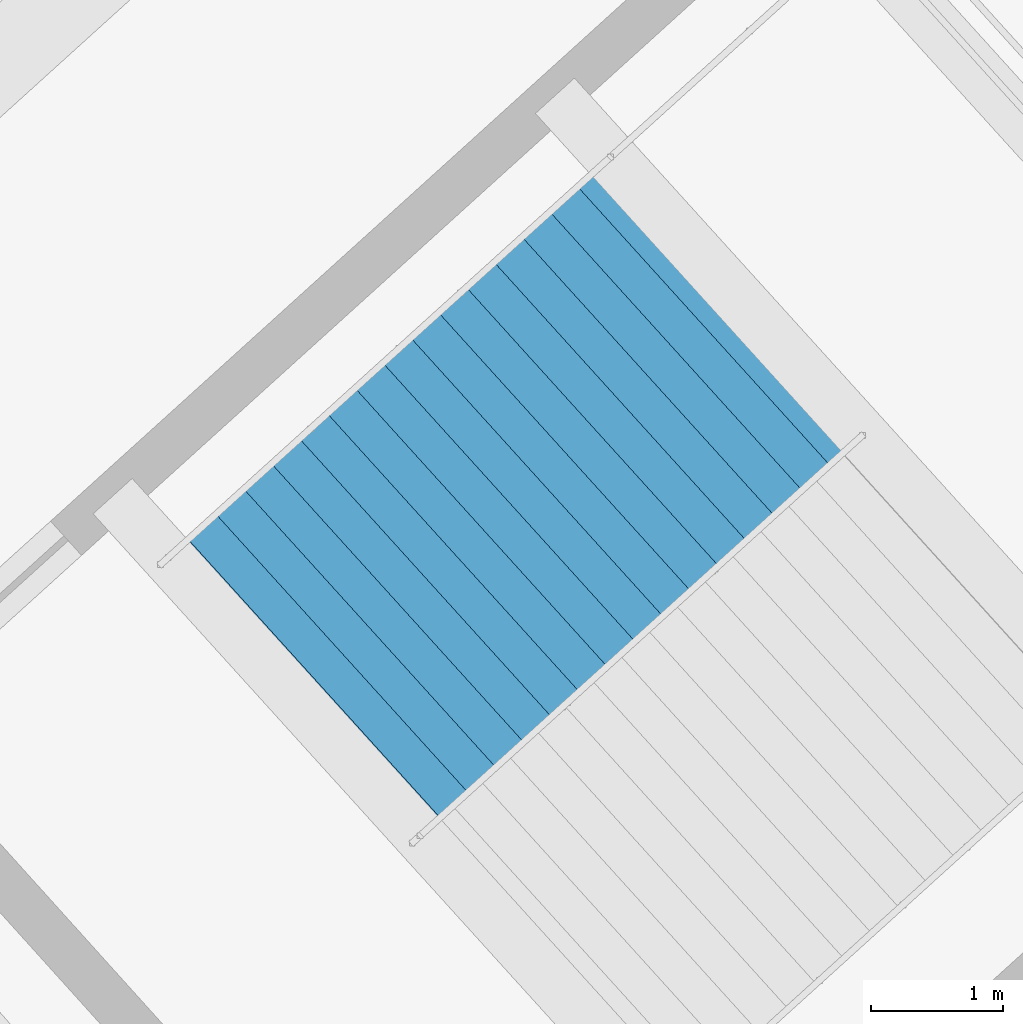
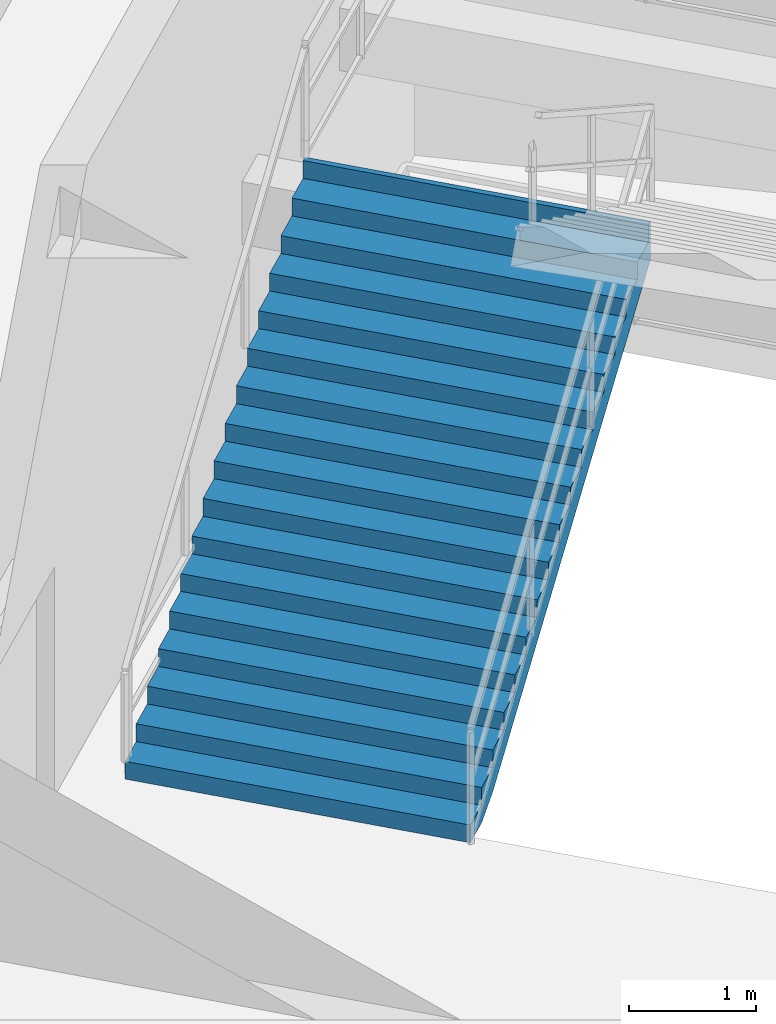
# One storey, part 28 of 48: 1 stair flight, 1 element without a shape of its own.
"""IFC4 building model written with IfcOpenShell, lengths in metres."""

from ifc_helpers import new_model, si_unit, direction, frame, origin, place, context, subcontext, project, spatial, polygons, material, type_object, element, aggregate, save


model = new_model("IFC4")

# Units and contexts
model_context = context("Model", 3, precision=1e-05, world=origin(), true_north=direction((0.0, 1.0)))
body_context = subcontext(model_context, "Body", "Model", "MODEL_VIEW")
ifc_project = project(units=[si_unit("LENGTHUNIT", "METRE"), si_unit("AREAUNIT", "SQUARE_METRE"), si_unit("VOLUMEUNIT", "CUBIC_METRE"), si_unit("PLANEANGLEUNIT", "RADIAN"), si_unit("MASSUNIT", "GRAM", prefix="KILO")], contexts=[model_context])

# Site, building, storey
site_placement = place(None, origin())
site = spatial("IfcSite", under=ifc_project, at=site_placement, CompositionType="ELEMENT")
building_placement = place(site_placement, origin())
building = spatial("IfcBuilding", under=site, at=building_placement, Name="Kazemori Nagisa Stadium", CompositionType="ELEMENT")
storey_placement = place(building_placement, origin())
storey = spatial("IfcBuildingStorey", under=building, at=storey_placement, Name="L00", CompositionType="ELEMENT", Elevation=0.0)

# Stair, stair flight
ifc_material = material(Name="Concrete C36/45 (Fc36)", Category="concrete")
stair_type = type_object("IfcStairType", Name="Stair_CORE_34", PredefinedType="TWO_STRAIGHT_RUN_STAIR", material=ifc_material)
stair_placement = place(storey_placement, origin())
stair = element("IfcStair", 1, at=stair_placement, inside=storey, type_object=stair_type, Name="Exit stair ST04 L00", PredefinedType="TWO_STRAIGHT_RUN_STAIR")
stair_flight_type = type_object("IfcStairFlightType", Name="Flight_CORE_17", PredefinedType="STRAIGHT", material=ifc_material)
stair_flight_placement = place(storey_placement, frame((182.77587890625, 39.410400390625, 0.0), z_axis=(0.0, 0.0, 1.0), x_axis=(0.741355642131, 0.671112369041, 0.0)))
stair_flight = element("IfcStairFlight", 2, at=stair_flight_placement, type_object=stair_flight_type, Name="Exit stair ST04 L00 flight 1", NumberOfRisers=17, NumberOfTreads=16, PredefinedType="STRAIGHT", RiserHeight=0.17, TreadLength=0.285, context=body_context, shape_type="Tessellation", body=[
    polygons([(0.0, -1.425048828125, 0.0), (0.0, -1.425048828125, 0.169921875), (0.284912109375, -1.425048828125, 0.169921875), (0.284912109375, -1.425048828125, 0.340087890625), (0.570068359375, -1.425048828125, 0.340087890625), (0.570068359375, -1.425048828125, 0.510009765625), (0.85498046875, -1.425048828125, 0.510009765625), (0.85498046875, -1.425048828125, 0.679931640625), (1.139892578125, -1.425048828125, 0.679931640625), (1.139892578125, -1.425048828125, 0.85009765625), (1.425048828125, -1.425048828125, 0.85009765625), (1.425048828125, -1.425048828125, 1.02001953125), (1.7099609375, -1.425048828125, 1.02001953125), (1.7099609375, -1.425048828125, 1.18994140625), (1.9951171875, -1.425048828125, 1.18994140625), (1.9951171875, -1.425048828125, 1.360107421875), (2.280029296875, -1.425048828125, 1.360107421875), (2.280029296875, -1.425048828125, 1.530029296875), (2.56494140625, -1.425048828125, 1.530029296875), (2.56494140625, -1.425048828125, 1.699951171875), (2.85009765625, -1.425048828125, 1.699951171875), (2.85009765625, -1.425048828125, 1.8701171875), (3.135009765625, -1.425048828125, 1.8701171875), (3.135009765625, -1.425048828125, 2.0400390625), (3.419921875, -1.425048828125, 2.0400390625), (3.419921875, -1.425048828125, 2.2099609375), (3.705078125, -1.425048828125, 2.2099609375), (3.705078125, -1.425048828125, 2.3798828125), (3.989990234375, -1.425048828125, 2.3798828125), (3.989990234375, -1.425048828125, 2.550048828125), (4.27490234375, -1.425048828125, 2.550048828125), (4.27490234375, -1.425048828125, 2.719970703125), (4.56005859375, -1.425048828125, 2.719970703125), (4.56005859375, -1.425048828125, 2.889892578125), (4.610107421875, -1.425048828125, 2.889892578125), (4.610107421875, -1.425048828125, 2.51708984375), (4.56005859375, -1.425048828125, 2.487060546875), (4.27490234375, -1.425048828125, 2.317138671875), (3.989990234375, -1.425048828125, 2.147216796875), (3.705078125, -1.425048828125, 1.977294921875), (3.419921875, -1.425048828125, 1.80712890625), (3.135009765625, -1.425048828125, 1.63720703125), (2.85009765625, -1.425048828125, 1.46728515625), (2.56494140625, -1.425048828125, 1.297119140625), (2.280029296875, -1.425048828125, 1.127197265625), (1.9951171875, -1.425048828125, 0.957275390625), (1.7099609375, -1.425048828125, 0.787109375), (1.425048828125, -1.425048828125, 0.6171875), (1.139892578125, -1.425048828125, 0.447265625), (0.85498046875, -1.425048828125, 0.277099609375), (0.570068359375, -1.425048828125, 0.107177734375), (0.284912109375, -1.425048828125, 0.0), (0.0, -0.08544921875, 0.0), (0.0, -0.08544921875, 0.169921875), (0.284912109375, -0.08544921875, 0.169921875), (0.284912109375, -0.08544921875, 0.340087890625), (0.570068359375, -0.08544921875, 0.340087890625), (0.570068359375, -0.08544921875, 0.510009765625), (0.85498046875, -0.08544921875, 0.510009765625), (0.85498046875, -0.08544921875, 0.679931640625), (1.139892578125, -0.08544921875, 0.679931640625), (1.139892578125, -0.08544921875, 0.85009765625), (1.425048828125, -0.08544921875, 0.85009765625), (1.425048828125, -0.08544921875, 1.02001953125), (1.7099609375, -0.08544921875, 1.02001953125), (1.7099609375, -0.08544921875, 1.18994140625), (1.9951171875, -0.08544921875, 1.18994140625), (1.9951171875, -0.08544921875, 1.360107421875), (2.280029296875, -0.08544921875, 1.360107421875), (2.280029296875, -0.08544921875, 1.530029296875), (2.56494140625, -0.08544921875, 1.530029296875), (2.56494140625, -0.08544921875, 1.699951171875), (2.85009765625, -0.08544921875, 1.699951171875), (2.85009765625, -0.08544921875, 1.8701171875), (3.135009765625, -0.08544921875, 1.8701171875), (3.135009765625, -0.08544921875, 2.0400390625), (3.419921875, -0.08544921875, 2.0400390625), (3.419921875, -0.08544921875, 2.2099609375), (3.705078125, -0.08544921875, 2.2099609375), (3.705078125, -0.08544921875, 2.3798828125), (3.989990234375, -0.08544921875, 2.3798828125), (3.989990234375, -0.08544921875, 2.550048828125), (4.27490234375, -0.08544921875, 2.550048828125), (4.27490234375, -0.08544921875, 2.719970703125), (4.56005859375, -0.08544921875, 2.719970703125), (4.56005859375, -0.08544921875, 2.889892578125), (4.610107421875, -0.08544921875, 2.889892578125), (4.610107421875, -0.08544921875, 2.51708984375), (4.56005859375, -0.08544921875, 2.487060546875), (4.27490234375, -0.08544921875, 2.317138671875), (3.989990234375, -0.08544921875, 2.147216796875), (3.705078125, -0.08544921875, 1.977294921875), (3.419921875, -0.08544921875, 1.80712890625), (3.135009765625, -0.08544921875, 1.63720703125), (2.85009765625, -0.08544921875, 1.46728515625), (2.56494140625, -0.08544921875, 1.297119140625), (2.280029296875, -0.08544921875, 1.127197265625), (1.9951171875, -0.08544921875, 0.957275390625), (1.7099609375, -0.08544921875, 0.787109375), (1.425048828125, -0.08544921875, 0.6171875), (1.139892578125, -0.08544921875, 0.447265625), (0.85498046875, -0.08544921875, 0.277099609375), (0.570068359375, -0.08544921875, 0.107177734375), (0.284912109375, -0.08544921875, 0.0), (0.0, 0.0, 0.0), (0.0, 0.0, 0.169921875), (0.284912109375, 0.0, 0.169921875), (0.284912109375, 0.0, 0.340087890625), (0.570068359375, 0.0, 0.340087890625), (0.570068359375, 0.0, 0.510009765625), (0.85498046875, 0.0, 0.510009765625), (0.85498046875, 0.0, 0.679931640625), (1.139892578125, 0.0, 0.679931640625), (1.139892578125, 0.0, 0.85009765625), (1.425048828125, 0.0, 0.85009765625), (1.425048828125, 0.0, 1.02001953125), (1.7099609375, 0.0, 1.02001953125), (1.7099609375, 0.0, 1.18994140625), (1.9951171875, 0.0, 1.18994140625), (1.9951171875, 0.0, 1.360107421875), (2.280029296875, 0.0, 1.360107421875), (2.280029296875, 0.0, 1.530029296875), (2.56494140625, 0.0, 1.530029296875), (2.56494140625, 0.0, 1.699951171875), (2.85009765625, 0.0, 1.699951171875), (2.85009765625, 0.0, 1.8701171875), (3.135009765625, 0.0, 1.8701171875), (3.135009765625, 0.0, 2.0400390625), (3.419921875, 0.0, 2.0400390625), (3.419921875, 0.0, 2.2099609375), (3.705078125, 0.0, 2.2099609375), (3.705078125, 0.0, 2.3798828125), (3.989990234375, 0.0, 2.3798828125), (3.989990234375, 0.0, 2.550048828125), (4.27490234375, 0.0, 2.550048828125), (4.27490234375, 0.0, 2.719970703125), (4.56005859375, 0.0, 2.719970703125), (4.56005859375, 0.0, 2.889892578125), (4.610107421875, 0.0, 2.889892578125), (4.610107421875, 0.0, 2.51708984375), (4.56005859375, 0.0, 2.487060546875), (4.27490234375, 0.0, 2.317138671875), (3.989990234375, 0.0, 2.147216796875), (3.705078125, 0.0, 1.977294921875), (3.419921875, 0.0, 1.80712890625), (3.135009765625, 0.0, 1.63720703125), (2.85009765625, 0.0, 1.46728515625), (2.56494140625, 0.0, 1.297119140625), (2.280029296875, 0.0, 1.127197265625), (1.9951171875, 0.0, 0.957275390625), (1.7099609375, 0.0, 0.787109375), (1.425048828125, 0.0, 0.6171875), (1.139892578125, 0.0, 0.447265625), (0.85498046875, 0.0, 0.277099609375), (0.570068359375, 0.0, 0.107177734375), (0.284912109375, 0.0, 0.0), (0.0, 0.08544921875, 0.0), (0.0, 0.08544921875, 0.169921875), (0.284912109375, 0.08544921875, 0.169921875), (0.284912109375, 0.08544921875, 0.340087890625), (0.570068359375, 0.08544921875, 0.340087890625), (0.570068359375, 0.08544921875, 0.510009765625), (0.85498046875, 0.08544921875, 0.510009765625), (0.85498046875, 0.08544921875, 0.679931640625), (1.139892578125, 0.08544921875, 0.679931640625), (1.139892578125, 0.08544921875, 0.85009765625), (1.425048828125, 0.08544921875, 0.85009765625), (1.425048828125, 0.08544921875, 1.02001953125), (1.7099609375, 0.08544921875, 1.02001953125), (1.7099609375, 0.08544921875, 1.18994140625), (1.9951171875, 0.08544921875, 1.18994140625), (1.9951171875, 0.08544921875, 1.360107421875), (2.280029296875, 0.08544921875, 1.360107421875), (2.280029296875, 0.08544921875, 1.530029296875), (2.56494140625, 0.08544921875, 1.530029296875), (2.56494140625, 0.08544921875, 1.699951171875), (2.85009765625, 0.08544921875, 1.699951171875), (2.85009765625, 0.08544921875, 1.8701171875), (3.135009765625, 0.08544921875, 1.8701171875), (3.135009765625, 0.08544921875, 2.0400390625), (3.419921875, 0.08544921875, 2.0400390625), (3.419921875, 0.08544921875, 2.2099609375), (3.705078125, 0.08544921875, 2.2099609375), (3.705078125, 0.08544921875, 2.3798828125), (3.989990234375, 0.08544921875, 2.3798828125), (3.989990234375, 0.08544921875, 2.550048828125), (4.27490234375, 0.08544921875, 2.550048828125), (4.27490234375, 0.08544921875, 2.719970703125), (4.56005859375, 0.08544921875, 2.719970703125), (4.56005859375, 0.08544921875, 2.889892578125), (4.610107421875, 0.08544921875, 2.889892578125), (4.610107421875, 0.08544921875, 2.51708984375), (4.56005859375, 0.08544921875, 2.487060546875), (4.27490234375, 0.08544921875, 2.317138671875), (3.989990234375, 0.08544921875, 2.147216796875), (3.705078125, 0.08544921875, 1.977294921875), (3.419921875, 0.08544921875, 1.80712890625), (3.135009765625, 0.08544921875, 1.63720703125), (2.85009765625, 0.08544921875, 1.46728515625), (2.56494140625, 0.08544921875, 1.297119140625), (2.280029296875, 0.08544921875, 1.127197265625), (1.9951171875, 0.08544921875, 0.957275390625), (1.7099609375, 0.08544921875, 0.787109375), (1.425048828125, 0.08544921875, 0.6171875), (1.139892578125, 0.08544921875, 0.447265625), (0.85498046875, 0.08544921875, 0.277099609375), (0.570068359375, 0.08544921875, 0.107177734375), (0.284912109375, 0.08544921875, 0.0), (0.0, 1.425048828125, 0.0), (0.0, 1.425048828125, 0.169921875), (0.284912109375, 1.425048828125, 0.169921875), (0.284912109375, 1.425048828125, 0.340087890625), (0.570068359375, 1.425048828125, 0.340087890625), (0.570068359375, 1.425048828125, 0.510009765625), (0.85498046875, 1.425048828125, 0.510009765625), (0.85498046875, 1.425048828125, 0.679931640625), (1.139892578125, 1.425048828125, 0.679931640625), (1.139892578125, 1.425048828125, 0.85009765625), (1.425048828125, 1.425048828125, 0.85009765625), (1.425048828125, 1.425048828125, 1.02001953125), (1.7099609375, 1.425048828125, 1.02001953125), (1.7099609375, 1.425048828125, 1.18994140625), (1.9951171875, 1.425048828125, 1.18994140625), (1.9951171875, 1.425048828125, 1.360107421875), (2.280029296875, 1.425048828125, 1.360107421875), (2.280029296875, 1.425048828125, 1.530029296875), (2.56494140625, 1.425048828125, 1.530029296875), (2.56494140625, 1.425048828125, 1.699951171875), (2.85009765625, 1.425048828125, 1.699951171875), (2.85009765625, 1.425048828125, 1.8701171875), (3.135009765625, 1.425048828125, 1.8701171875), (3.135009765625, 1.425048828125, 2.0400390625), (3.419921875, 1.425048828125, 2.0400390625), (3.419921875, 1.425048828125, 2.2099609375), (3.705078125, 1.425048828125, 2.2099609375), (3.705078125, 1.425048828125, 2.3798828125), (3.989990234375, 1.425048828125, 2.3798828125), (3.989990234375, 1.425048828125, 2.550048828125), (4.27490234375, 1.425048828125, 2.550048828125), (4.27490234375, 1.425048828125, 2.719970703125), (4.56005859375, 1.425048828125, 2.719970703125), (4.56005859375, 1.425048828125, 2.889892578125), (4.610107421875, 1.425048828125, 2.889892578125), (4.610107421875, 1.425048828125, 2.51708984375), (4.56005859375, 1.425048828125, 2.487060546875), (4.27490234375, 1.425048828125, 2.317138671875), (3.989990234375, 1.425048828125, 2.147216796875), (3.705078125, 1.425048828125, 1.977294921875), (3.419921875, 1.425048828125, 1.80712890625), (3.135009765625, 1.425048828125, 1.63720703125), (2.85009765625, 1.425048828125, 1.46728515625), (2.56494140625, 1.425048828125, 1.297119140625), (2.280029296875, 1.425048828125, 1.127197265625), (1.9951171875, 1.425048828125, 0.957275390625), (1.7099609375, 1.425048828125, 0.787109375), (1.425048828125, 1.425048828125, 0.6171875), (1.139892578125, 1.425048828125, 0.447265625), (0.85498046875, 1.425048828125, 0.277099609375), (0.570068359375, 1.425048828125, 0.107177734375), (0.284912109375, 1.425048828125, 0.0)], [[[1, 2, 54]], [[1, 54, 53]], [[2, 3, 55]], [[2, 55, 54]], [[3, 4, 56]], [[3, 56, 55]], [[4, 5, 57]], [[4, 57, 56]], [[5, 6, 58]], [[5, 58, 57]], [[6, 7, 59]], [[6, 59, 58]], [[7, 8, 60]], [[7, 60, 59]], [[8, 9, 61]], [[8, 61, 60]], [[9, 10, 62]], [[9, 62, 61]], [[10, 11, 63]], [[10, 63, 62]], [[11, 12, 64]], [[11, 64, 63]], [[12, 13, 65]], [[12, 65, 64]], [[13, 14, 66]], [[13, 66, 65]], [[14, 15, 67]], [[14, 67, 66]], [[15, 16, 68]], [[15, 68, 67]], [[16, 17, 69]], [[16, 69, 68]], [[17, 18, 70]], [[17, 70, 69]], [[18, 19, 71]], [[18, 71, 70]], [[19, 20, 72]], [[19, 72, 71]], [[20, 21, 73]], [[20, 73, 72]], [[21, 22, 74]], [[21, 74, 73]], [[22, 23, 75]], [[22, 75, 74]], [[23, 24, 76]], [[23, 76, 75]], [[24, 25, 77]], [[24, 77, 76]], [[25, 26, 78]], [[25, 78, 77]], [[26, 27, 79]], [[26, 79, 78]], [[27, 28, 80]], [[27, 80, 79]], [[28, 29, 81]], [[28, 81, 80]], [[29, 30, 82]], [[29, 82, 81]], [[30, 31, 83]], [[30, 83, 82]], [[31, 32, 84]], [[31, 84, 83]], [[32, 33, 85]], [[32, 85, 84]], [[33, 34, 86]], [[33, 86, 85]], [[34, 35, 87]], [[34, 87, 86]], [[35, 36, 88]], [[35, 88, 87]], [[36, 37, 89]], [[36, 89, 88]], [[37, 38, 90]], [[37, 90, 89]], [[38, 39, 91]], [[38, 91, 90]], [[39, 40, 92]], [[39, 92, 91]], [[40, 41, 93]], [[40, 93, 92]], [[41, 42, 94]], [[41, 94, 93]], [[42, 43, 95]], [[42, 95, 94]], [[43, 44, 96]], [[43, 96, 95]], [[44, 45, 97]], [[44, 97, 96]], [[45, 46, 98]], [[45, 98, 97]], [[46, 47, 99]], [[46, 99, 98]], [[47, 48, 100]], [[47, 100, 99]], [[48, 49, 101]], [[48, 101, 100]], [[49, 50, 102]], [[49, 102, 101]], [[50, 51, 103]], [[50, 103, 102]], [[51, 52, 104]], [[51, 104, 103]], [[52, 1, 53]], [[52, 53, 104]], [[53, 54, 106]], [[53, 106, 105]], [[54, 55, 107]], [[54, 107, 106]], [[55, 56, 108]], [[55, 108, 107]], [[56, 57, 109]], [[56, 109, 108]], [[57, 58, 110]], [[57, 110, 109]], [[58, 59, 111]], [[58, 111, 110]], [[59, 60, 112]], [[59, 112, 111]], [[60, 61, 113]], [[60, 113, 112]], [[61, 62, 114]], [[61, 114, 113]], [[62, 63, 115]], [[62, 115, 114]], [[63, 64, 116]], [[63, 116, 115]], [[64, 65, 117]], [[64, 117, 116]], [[65, 66, 118]], [[65, 118, 117]], [[66, 67, 119]], [[66, 119, 118]], [[67, 68, 120]], [[67, 120, 119]], [[68, 69, 121]], [[68, 121, 120]], [[69, 70, 122]], [[69, 122, 121]], [[70, 71, 123]], [[70, 123, 122]], [[71, 72, 124]], [[71, 124, 123]], [[72, 73, 125]], [[72, 125, 124]], [[73, 74, 126]], [[73, 126, 125]], [[74, 75, 127]], [[74, 127, 126]], [[75, 76, 128]], [[75, 128, 127]], [[76, 77, 129]], [[76, 129, 128]], [[77, 78, 130]], [[77, 130, 129]], [[78, 79, 131]], [[78, 131, 130]], [[79, 80, 132]], [[79, 132, 131]], [[80, 81, 133]], [[80, 133, 132]], [[81, 82, 134]], [[81, 134, 133]], [[82, 83, 135]], [[82, 135, 134]], [[83, 84, 136]], [[83, 136, 135]], [[84, 85, 137]], [[84, 137, 136]], [[85, 86, 138]], [[85, 138, 137]], [[86, 87, 139]], [[86, 139, 138]], [[87, 88, 140]], [[87, 140, 139]], [[88, 89, 141]], [[88, 141, 140]], [[89, 90, 142]], [[89, 142, 141]], [[90, 91, 143]], [[90, 143, 142]], [[91, 92, 144]], [[91, 144, 143]], [[92, 93, 145]], [[92, 145, 144]], [[93, 94, 146]], [[93, 146, 145]], [[94, 95, 147]], [[94, 147, 146]], [[95, 96, 148]], [[95, 148, 147]], [[96, 97, 149]], [[96, 149, 148]], [[97, 98, 150]], [[97, 150, 149]], [[98, 99, 151]], [[98, 151, 150]], [[99, 100, 152]], [[99, 152, 151]], [[100, 101, 153]], [[100, 153, 152]], [[101, 102, 154]], [[101, 154, 153]], [[102, 103, 155]], [[102, 155, 154]], [[103, 104, 156]], [[103, 156, 155]], [[104, 53, 105]], [[104, 105, 156]], [[105, 106, 158]], [[105, 158, 157]], [[106, 107, 159]], [[106, 159, 158]], [[107, 108, 160]], [[107, 160, 159]], [[108, 109, 161]], [[108, 161, 160]], [[109, 110, 162]], [[109, 162, 161]], [[110, 111, 163]], [[110, 163, 162]], [[111, 112, 164]], [[111, 164, 163]], [[112, 113, 165]], [[112, 165, 164]], [[113, 114, 166]], [[113, 166, 165]], [[114, 115, 167]], [[114, 167, 166]], [[115, 116, 168]], [[115, 168, 167]], [[116, 117, 169]], [[116, 169, 168]], [[117, 118, 170]], [[117, 170, 169]], [[118, 119, 171]], [[118, 171, 170]], [[119, 120, 172]], [[119, 172, 171]], [[120, 121, 173]], [[120, 173, 172]], [[121, 122, 174]], [[121, 174, 173]], [[122, 123, 175]], [[122, 175, 174]], [[123, 124, 176]], [[123, 176, 175]], [[124, 125, 177]], [[124, 177, 176]], [[125, 126, 178]], [[125, 178, 177]], [[126, 127, 179]], [[126, 179, 178]], [[127, 128, 180]], [[127, 180, 179]], [[128, 129, 181]], [[128, 181, 180]], [[129, 130, 182]], [[129, 182, 181]], [[130, 131, 183]], [[130, 183, 182]], [[131, 132, 184]], [[131, 184, 183]], [[132, 133, 185]], [[132, 185, 184]], [[133, 134, 186]], [[133, 186, 185]], [[134, 135, 187]], [[134, 187, 186]], [[135, 136, 188]], [[135, 188, 187]], [[136, 137, 189]], [[136, 189, 188]], [[137, 138, 190]], [[137, 190, 189]], [[138, 139, 191]], [[138, 191, 190]], [[139, 140, 192]], [[139, 192, 191]], [[140, 141, 193]], [[140, 193, 192]], [[141, 142, 194]], [[141, 194, 193]], [[142, 143, 195]], [[142, 195, 194]], [[143, 144, 196]], [[143, 196, 195]], [[144, 145, 197]], [[144, 197, 196]], [[145, 146, 198]], [[145, 198, 197]], [[146, 147, 199]], [[146, 199, 198]], [[147, 148, 200]], [[147, 200, 199]], [[148, 149, 201]], [[148, 201, 200]], [[149, 150, 202]], [[149, 202, 201]], [[150, 151, 203]], [[150, 203, 202]], [[151, 152, 204]], [[151, 204, 203]], [[152, 153, 205]], [[152, 205, 204]], [[153, 154, 206]], [[153, 206, 205]], [[154, 155, 207]], [[154, 207, 206]], [[155, 156, 208]], [[155, 208, 207]], [[156, 105, 157]], [[156, 157, 208]], [[157, 158, 210]], [[157, 210, 209]], [[158, 159, 211]], [[158, 211, 210]], [[159, 160, 212]], [[159, 212, 211]], [[160, 161, 213]], [[160, 213, 212]], [[161, 162, 214]], [[161, 214, 213]], [[162, 163, 215]], [[162, 215, 214]], [[163, 164, 216]], [[163, 216, 215]], [[164, 165, 217]], [[164, 217, 216]], [[165, 166, 218]], [[165, 218, 217]], [[166, 167, 219]], [[166, 219, 218]], [[167, 168, 220]], [[167, 220, 219]], [[168, 169, 221]], [[168, 221, 220]], [[169, 170, 222]], [[169, 222, 221]], [[170, 171, 223]], [[170, 223, 222]], [[171, 172, 224]], [[171, 224, 223]], [[172, 173, 225]], [[172, 225, 224]], [[173, 174, 226]], [[173, 226, 225]], [[174, 175, 227]], [[174, 227, 226]], [[175, 176, 228]], [[175, 228, 227]], [[176, 177, 229]], [[176, 229, 228]], [[177, 178, 230]], [[177, 230, 229]], [[178, 179, 231]], [[178, 231, 230]], [[179, 180, 232]], [[179, 232, 231]], [[180, 181, 233]], [[180, 233, 232]], [[181, 182, 234]], [[181, 234, 233]], [[182, 183, 235]], [[182, 235, 234]], [[183, 184, 236]], [[183, 236, 235]], [[184, 185, 237]], [[184, 237, 236]], [[185, 186, 238]], [[185, 238, 237]], [[186, 187, 239]], [[186, 239, 238]], [[187, 188, 240]], [[187, 240, 239]], [[188, 189, 241]], [[188, 241, 240]], [[189, 190, 242]], [[189, 242, 241]], [[190, 191, 243]], [[190, 243, 242]], [[191, 192, 244]], [[191, 244, 243]], [[192, 193, 245]], [[192, 245, 244]], [[193, 194, 246]], [[193, 246, 245]], [[194, 195, 247]], [[194, 247, 246]], [[195, 196, 248]], [[195, 248, 247]], [[196, 197, 249]], [[196, 249, 248]], [[197, 198, 250]], [[197, 250, 249]], [[198, 199, 251]], [[198, 251, 250]], [[199, 200, 252]], [[199, 252, 251]], [[200, 201, 253]], [[200, 253, 252]], [[201, 202, 254]], [[201, 254, 253]], [[202, 203, 255]], [[202, 255, 254]], [[203, 204, 256]], [[203, 256, 255]], [[204, 205, 257]], [[204, 257, 256]], [[205, 206, 258]], [[205, 258, 257]], [[206, 207, 259]], [[206, 259, 258]], [[207, 208, 260]], [[207, 260, 259]], [[208, 157, 209]], [[208, 209, 260]], [[3, 2, 1]], [[209, 210, 211]], [[52, 3, 1]], [[209, 211, 260]], [[51, 3, 52]], [[260, 211, 259]], [[5, 3, 51]], [[259, 211, 213]], [[5, 4, 3]], [[211, 212, 213]], [[50, 5, 51]], [[259, 213, 258]], [[7, 5, 50]], [[258, 213, 215]], [[7, 6, 5]], [[213, 214, 215]], [[49, 7, 50]], [[258, 215, 257]], [[9, 7, 49]], [[257, 215, 217]], [[9, 8, 7]], [[215, 216, 217]], [[48, 9, 49]], [[257, 217, 256]], [[11, 9, 48]], [[256, 217, 219]], [[11, 10, 9]], [[217, 218, 219]], [[47, 11, 48]], [[256, 219, 255]], [[13, 11, 47]], [[255, 219, 221]], [[13, 12, 11]], [[219, 220, 221]], [[46, 13, 47]], [[255, 221, 254]], [[15, 13, 46]], [[254, 221, 223]], [[15, 14, 13]], [[221, 222, 223]], [[45, 15, 46]], [[254, 223, 253]], [[17, 15, 45]], [[253, 223, 225]], [[17, 16, 15]], [[223, 224, 225]], [[44, 17, 45]], [[253, 225, 252]], [[19, 17, 44]], [[252, 225, 227]], [[19, 18, 17]], [[225, 226, 227]], [[43, 19, 44]], [[252, 227, 251]], [[21, 19, 43]], [[251, 227, 229]], [[21, 20, 19]], [[227, 228, 229]], [[42, 21, 43]], [[251, 229, 250]], [[23, 21, 42]], [[250, 229, 231]], [[23, 22, 21]], [[229, 230, 231]], [[41, 23, 42]], [[250, 231, 249]], [[25, 23, 41]], [[249, 231, 233]], [[25, 24, 23]], [[231, 232, 233]], [[40, 25, 41]], [[249, 233, 248]], [[27, 25, 40]], [[248, 233, 235]], [[27, 26, 25]], [[233, 234, 235]], [[39, 27, 40]], [[248, 235, 247]], [[29, 27, 39]], [[247, 235, 237]], [[29, 28, 27]], [[235, 236, 237]], [[38, 29, 39]], [[247, 237, 246]], [[31, 29, 38]], [[246, 237, 239]], [[31, 30, 29]], [[237, 238, 239]], [[37, 31, 38]], [[246, 239, 245]], [[33, 31, 37]], [[245, 239, 241]], [[33, 32, 31]], [[239, 240, 241]], [[36, 33, 37]], [[245, 241, 244]], [[35, 33, 36]], [[244, 241, 243]], [[35, 34, 33]], [[241, 242, 243]]], closed=True),
])
aggregate(stair, [stair_flight])

save(model, "model.ifc")
